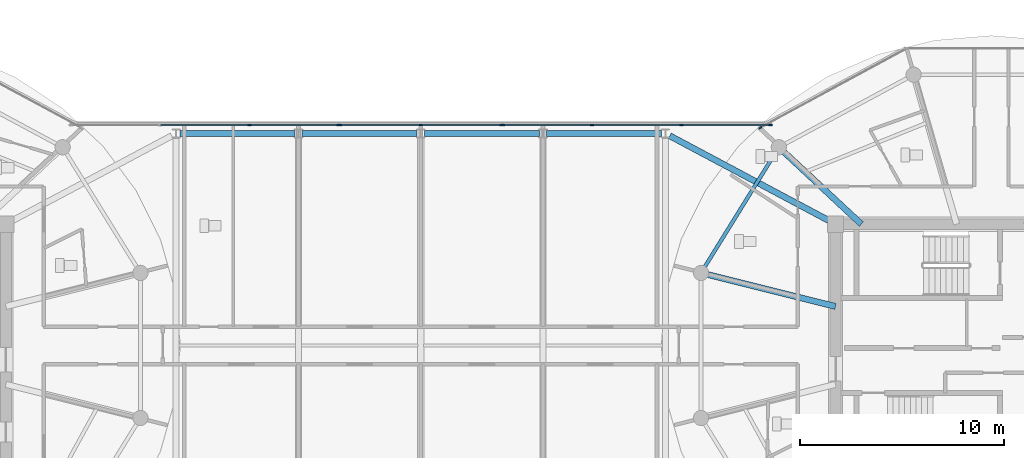
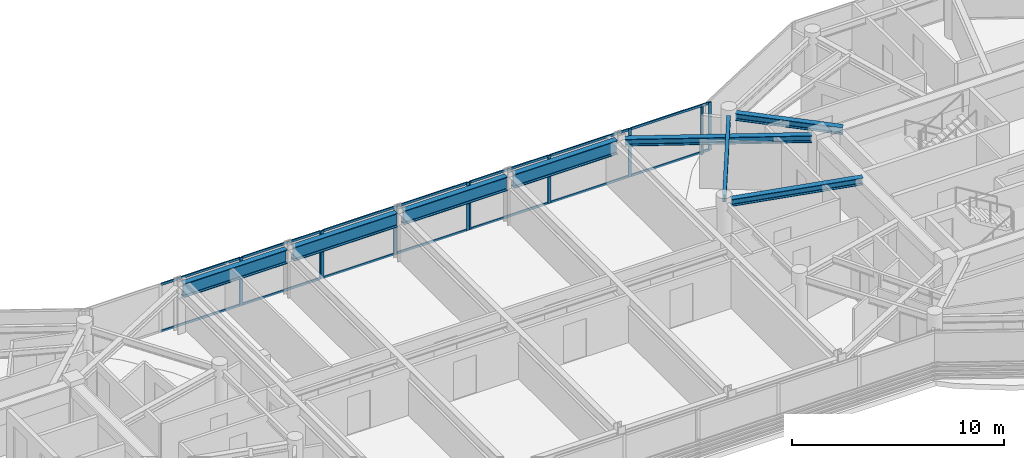
# One storey, part 8 of 26: 24 members, 8 beams, 4 elements without a shape of their own.
"""IFC4 building model written with IfcOpenShell, lengths in metres."""

from ifc_helpers import new_model, si_unit, direction, frame, origin, origin_2d, place, context, subcontext, project, spatial, rectangle, i_section, extrude, source, transform, mapped, material, layer, layer_set, material_profile, profile_set, type_object, type_shapes, element, aggregate, save


model = new_model("IFC4")

# Units and contexts
model_context = context("Model", 3, precision=1e-05, world=origin(), true_north=direction((0.0, 1.0)))
body_context = subcontext(model_context, "Body", "Model", "MODEL_VIEW")
ifc_project = project(units=[si_unit("LENGTHUNIT", "METRE"), si_unit("AREAUNIT", "SQUARE_METRE"), si_unit("VOLUMEUNIT", "CUBIC_METRE"), si_unit("PLANEANGLEUNIT", "RADIAN"), si_unit("MASSUNIT", "GRAM", prefix="KILO")], contexts=[model_context])

# Site, building, storey
site_placement = place(None, origin())
site = spatial("IfcSite", under=ifc_project, at=site_placement, CompositionType="ELEMENT")
building_placement = place(site_placement, origin())
building = spatial("IfcBuilding", under=site, at=building_placement, Name="Norrkilde Senior Care Towers", CompositionType="ELEMENT")
storey_placement = place(building_placement, frame((0.0, 0.0, 210.85009765625)))
storey = spatial("IfcBuildingStorey", under=building, at=storey_placement, Name="L65", CompositionType="ELEMENT", Elevation=210.85009765625)

# Beams
ifc_material_1 = material(Name="Steel S355", Category="steel")
ifc_material_profile_1 = material_profile(ifc_material_1, i_section(OverallWidth=0.179931640625, OverallDepth=0.39990234375, WebThickness=0.008544921875, FlangeThickness=0.013427734375, FilletRadius=0.02099609375, at=origin_2d()), Name="IPE 400")
ifc_profile_set_1 = profile_set([ifc_material_profile_1], Name="Steel S355")
beam_type_1 = type_object("IfcBeamType", Name="Perimeter Ring Spandrel Z4 IPE400", PredefinedType="SPANDREL", material=ifc_profile_set_1)
shared_shape_1 = source(origin(), body_context, "Body", "SweptSolid", [
    extrude(i_section(OverallWidth=0.179931640625, OverallDepth=0.39990234375, WebThickness=0.008544921875, FlangeThickness=0.013427734375, FilletRadius=0.02099609375, at=origin_2d()), origin(), (0.0, 0.0, 1.0), 6.58056640625),
])
type_shapes(beam_type_1, [shared_shape_1])
beam_1_placement = place(storey_placement, frame((17.393798828125, 9.43798828125, 2.559814453125), z_axis=(-0.526529583789, -0.850156807533, 0.0), x_axis=(0.850156807533, -0.526529583789, 0.0)))
element("IfcBeam", 1, at=beam_1_placement, inside=storey, type_object=beam_type_1, Name="L65 Drum E Perimeter Spandrel 05", PredefinedType="SPANDREL", context=body_context, shape_type="MappedRepresentation", body=[
    mapped(shared_shape_1, transform((0.0, 0.0, 0.0), x_axis=(1.0, 0.0, 0.0), y_axis=(0.0, 1.0, 0.0), z_axis=(0.0, 0.0, 1.0), scale=1.0)),
])
ifc_material_profile_2 = material_profile(ifc_material_1, i_section(OverallWidth=0.300048828125, OverallDepth=0.39990234375, WebThickness=0.013427734375, FlangeThickness=0.02392578125, FilletRadius=0.027099609375, at=origin_2d()), Name="HEB 400")
ifc_profile_set_2 = profile_set([ifc_material_profile_2], Name="Steel S355")
beam_type_2 = type_object("IfcBeamType", Name="Radial Floor Beam Z4 HEB400", PredefinedType="BEAM", material=ifc_profile_set_2)
shared_shape_2 = source(origin(), body_context, "Body", "SweptSolid", [
    extrude(i_section(OverallWidth=0.300048828125, OverallDepth=0.39990234375, WebThickness=0.013427734375, FlangeThickness=0.02392578125, FilletRadius=0.027099609375, at=origin_2d()), origin(), (0.0, 0.0, 1.0), 6.465087890625),
])
beam_2_placement = place(storey_placement, frame((20.35009765625, 1.910888671875, 2.559814453125), z_axis=(-0.970195788563, 0.242322371758, 0.0), x_axis=(-0.242322371758, -0.970195788563, 0.0)))
element("IfcBeam", 2, at=beam_2_placement, inside=storey, type_object=beam_type_2, Name="L65 Drum E Radial Floor Beam 06", PredefinedType="BEAM", context=body_context, shape_type="MappedRepresentation", body=[
    mapped(shared_shape_2, transform((0.0, 0.0, 0.0), x_axis=(1.0, 0.0, 0.0), y_axis=(0.0, 1.0, 0.0), z_axis=(0.0, 0.0, 1.0), scale=1.0)),
])
shared_shape_3 = source(origin(), body_context, "Body", "SweptSolid", [
    extrude(i_section(OverallWidth=0.300048828125, OverallDepth=0.39990234375, WebThickness=0.013427734375, FlangeThickness=0.02392578125, FilletRadius=0.027099609375, at=origin_2d()), origin(), (0.0, 0.0, 1.0), 5.197998046875),
])
beam_3_placement = place(storey_placement, frame((21.6171875, 5.949951171875, 2.559814453125), z_axis=(-0.731448749334, 0.681896419625, 0.0), x_axis=(-0.681896419625, -0.731448749334, 0.0)))
element("IfcBeam", 3, at=beam_3_placement, inside=storey, type_object=beam_type_2, Name="L65 Drum E Radial Floor Beam 05", PredefinedType="BEAM", context=body_context, shape_type="MappedRepresentation", body=[
    mapped(shared_shape_3, transform((0.0, 0.0, 0.0), x_axis=(1.0, 0.0, 0.0), y_axis=(0.0, 1.0, 0.0), z_axis=(0.0, 0.0, 1.0), scale=1.0)),
])
shared_shape_4 = source(origin(), body_context, "Body", "SweptSolid", [
    extrude(i_section(OverallWidth=0.300048828125, OverallDepth=0.39990234375, WebThickness=0.013427734375, FlangeThickness=0.02392578125, FilletRadius=0.027099609375, at=origin_2d()), origin(), (0.0, 0.0, 1.0), 8.831787109375),
])
type_shapes(beam_type_2, [shared_shape_2, shared_shape_3, shared_shape_4])
beam_4_placement = place(storey_placement, frame((12.220703125, 10.282470703125, 2.559814453125), z_axis=(0.882492172381, -0.470327083727, 0.0), x_axis=(0.470327083727, 0.882492172381, 0.0)))
element("IfcBeam", 4, at=beam_4_placement, inside=storey, type_object=beam_type_2, Name="L65 Sky-Gate Bridge Girder N6", PredefinedType="BEAM", context=body_context, shape_type="MappedRepresentation", body=[
    mapped(shared_shape_4, transform((0.0, 0.0, 0.0), x_axis=(1.0, 0.0, 0.0), y_axis=(0.0, 1.0, 0.0), z_axis=(0.0, 0.0, 1.0), scale=1.0)),
])
ifc_material_profile_3 = material_profile(ifc_material_1, i_section(OverallWidth=0.300048828125, OverallDepth=0.800048828125, WebThickness=0.017578125, FlangeThickness=0.032958984375, FilletRadius=0.030029296875, at=origin_2d()), Name="HEB 800")
ifc_profile_set_3 = profile_set([ifc_material_profile_3], Name="Steel S355")
beam_type_3 = type_object("IfcBeamType", Name="Bridge Floor Girder HEB800", PredefinedType="USERDEFINED", material=ifc_profile_set_3)
shared_shape_5 = source(origin(), body_context, "Body", "SweptSolid", [
    extrude(i_section(OverallWidth=0.300048828125, OverallDepth=0.800048828125, WebThickness=0.017578125, FlangeThickness=0.032958984375, FilletRadius=0.030029296875, at=origin_2d()), origin(), (0.0, 0.0, 1.0), 5.64013671875),
])
type_shapes(beam_type_3, [shared_shape_5])
for number, where, z_axis, x_axis, name in (
    (5, (-11.820068359375, 10.39990234375, 2.35986328125), (1.0, 0.0, 0.0), (0.0, 1.0, 0.0), "L65 Sky-Gate Bridge Girder N2"),
    (6, (-5.820068359375, 10.39990234375, 2.35986328125), (1.0, 0.0, 0.0), (0.0, 1.0, 0.0), "L65 Sky-Gate Bridge Girder N3"),
    (7, (0.179931640625, 10.39990234375, 2.35986328125), (1.0, 0.0, 0.0), (0.0, 1.0, 0.0), "L65 Sky-Gate Bridge Girder N4"),
    (8, (6.179931640625, 10.39990234375, 2.35986328125), (1.0, 0.0, 0.0), (0.0, 1.0, 0.0), "L65 Sky-Gate Bridge Girder N5"),
):
    element("IfcBeam", number, at=place(storey_placement, frame(where, z_axis=z_axis, x_axis=x_axis)), inside=storey, type_object=beam_type_3, Name=name, ObjectType="GIRDER", PredefinedType="USERDEFINED", context=body_context, shape_type="MappedRepresentation", body=[
        mapped(shared_shape_5, transform((0.0, 0.0, 0.0), x_axis=(1.0, 0.0, 0.0), y_axis=(0.0, 1.0, 0.0), z_axis=(0.0, 0.0, 1.0), scale=1.0)),
    ])

# Curtain wall, member
ifc_material_2 = material(Name="Triple Low-E Insulated Glazing", Category="glass")
ifc_layer_1 = layer(ifc_material_2, 0.18505859375)
ifc_layer_set_1 = layer_set([ifc_layer_1], Name="Triple Low-E Insulated Glazing")
curtain_wall_type_1 = type_object("IfcCurtainWallType", Name="CW6 Zone 4 Crown Pavilion Curtain Wall", PredefinedType="NOTDEFINED", material=ifc_layer_set_1)
curtain_wall_1_placement = place(storey_placement, origin())
curtain_wall_1 = element("IfcCurtainWall", 9, at=curtain_wall_1_placement, inside=storey, type_object=curtain_wall_type_1, Name="L65 Drum E Curtain Wall 03", PredefinedType="NOTDEFINED")
ifc_material_3 = material(Name="Anodised Aluminium", Category="aluminium")
ifc_material_profile_4 = material_profile(ifc_material_3, rectangle(XDim=0.06494140625, YDim=0.14990234375, at=origin_2d()), Name="ALU MULL 65x150")
ifc_profile_set_4 = profile_set([ifc_material_profile_4], Name="Anodised Aluminium")
member_type_1 = type_object("IfcMemberType", Name="Curtain Wall Mullion Z3-Z4 65x150", PredefinedType="MULLION", material=ifc_profile_set_4)
shared_shape_6 = source(origin(), body_context, "Body", "SweptSolid", [
    extrude(rectangle(XDim=0.06494140625, YDim=0.14990234375, at=origin_2d()), origin(), (0.0, 0.0, 1.0), 2.760009765625),
])
type_shapes(member_type_1, [shared_shape_6])
member_1_placement = place(storey_placement, frame((16.658203125, 10.6787109375, 0.0), z_axis=(0.0, 0.0, 1.0), x_axis=(-0.476132676136, 0.879373455772, 0.0)))
member_1 = element("IfcMember", 10, at=member_1_placement, type_object=member_type_1, Name="CW-6 mullion 1", PredefinedType="MULLION", context=body_context, shape_type="MappedRepresentation", body=[
    mapped(shared_shape_6, transform((0.0, 0.0, 0.0), x_axis=(1.0, 0.0, 0.0), y_axis=(0.0, 1.0, 0.0), z_axis=(0.0, 0.0, 1.0), scale=1.0)),
])
aggregate(curtain_wall_1, [member_1])

# Curtain wall, members
ifc_layer_2 = layer(ifc_material_2, 0.2099609375)
ifc_layer_set_2 = layer_set([ifc_layer_2], Name="Triple Low-E Insulated Glazing")
curtain_wall_type_2 = type_object("IfcCurtainWallType", Name="CW5 Sky-Gate Bridge Curtain Wall", PredefinedType="NOTDEFINED", material=ifc_layer_set_2)
curtain_wall_2_placement = place(storey_placement, origin())
curtain_wall_2 = element("IfcCurtainWall", 11, at=curtain_wall_2_placement, inside=storey, type_object=curtain_wall_type_2, Name="L65 Sky-Gate Bridge North Curtain Wall 1", PredefinedType="NOTDEFINED")
ifc_material_profile_5 = material_profile(ifc_material_3, rectangle(XDim=0.06494140625, YDim=0.1298828125, at=origin_2d()), Name="ALU TRAN 65x130")
ifc_profile_set_5 = profile_set([ifc_material_profile_5], Name="Anodised Aluminium")
member_type_2 = type_object("IfcMemberType", Name="Curtain Wall Transom Heavy 65x130", PredefinedType="USERDEFINED", material=ifc_profile_set_5)
shared_shape_7 = source(origin(), body_context, "Body", "SweptSolid", [
    extrude(rectangle(XDim=0.06494140625, YDim=0.1298828125, at=origin_2d()), origin(), (0.0, 0.0, 1.0), 4.294921875),
])
member_2_placement = place(storey_placement, frame((-8.364990234375, 10.820068359375, 0.032470703125), z_axis=(1.0, 0.0, 0.0), x_axis=(0.0, 1.0, 0.0)))
member_2 = element("IfcMember", 12, at=member_2_placement, type_object=member_type_2, Name="CW-5 transom 3.1", ObjectType="TRANSOM", PredefinedType="USERDEFINED", context=body_context, shape_type="MappedRepresentation", body=[
    mapped(shared_shape_7, transform((0.0, 0.0, 0.0), x_axis=(1.0, 0.0, 0.0), y_axis=(0.0, 1.0, 0.0), z_axis=(0.0, 0.0, 1.0), scale=1.0)),
])
member_3_placement = place(storey_placement, frame((-8.364990234375, 10.820068359375, 2.727294921875), z_axis=(1.0, 0.0, 0.0), x_axis=(0.0, 1.0, 0.0)))
member_3 = element("IfcMember", 13, at=member_3_placement, type_object=member_type_2, Name="CW-5 transom 3.2", ObjectType="TRANSOM", PredefinedType="USERDEFINED", context=body_context, shape_type="MappedRepresentation", body=[
    mapped(shared_shape_7, transform((0.0, 0.0, 0.0), x_axis=(1.0, 0.0, 0.0), y_axis=(0.0, 1.0, 0.0), z_axis=(0.0, 0.0, 1.0), scale=1.0)),
])

curtain_wall_3_placement = place(storey_placement, origin())
curtain_wall_3 = element("IfcCurtainWall", 14, at=curtain_wall_3_placement, inside=storey, type_object=curtain_wall_type_2, Name="L65 Sky-Gate Bridge North Curtain Wall 3", PredefinedType="NOTDEFINED")
member_4_placement = place(storey_placement, frame((4.070068359375, 10.820068359375, 0.032470703125), z_axis=(1.0, 0.0, 0.0), x_axis=(0.0, 1.0, 0.0)))
member_4 = element("IfcMember", 15, at=member_4_placement, type_object=member_type_2, Name="CW-5 transom 1.1", ObjectType="TRANSOM", PredefinedType="USERDEFINED", context=body_context, shape_type="MappedRepresentation", body=[
    mapped(shared_shape_7, transform((0.0, 0.0, 0.0), x_axis=(1.0, 0.0, 0.0), y_axis=(0.0, 1.0, 0.0), z_axis=(0.0, 0.0, 1.0), scale=1.0)),
])
member_5_placement = place(storey_placement, frame((4.070068359375, 10.820068359375, 2.727294921875), z_axis=(1.0, 0.0, 0.0), x_axis=(0.0, 1.0, 0.0)))
member_5 = element("IfcMember", 16, at=member_5_placement, type_object=member_type_2, Name="CW-5 transom 1.2", ObjectType="TRANSOM", PredefinedType="USERDEFINED", context=body_context, shape_type="MappedRepresentation", body=[
    mapped(shared_shape_7, transform((0.0, 0.0, 0.0), x_axis=(1.0, 0.0, 0.0), y_axis=(0.0, 1.0, 0.0), z_axis=(0.0, 0.0, 1.0), scale=1.0)),
])
member_6_placement = place(storey_placement, frame((12.8349609375, 10.820068359375, 0.032470703125), z_axis=(1.0, 0.0, 0.0), x_axis=(0.0, 1.0, 0.0)))
member_6 = element("IfcMember", 17, at=member_6_placement, type_object=member_type_2, Name="CW-5 transom 3.1", ObjectType="TRANSOM", PredefinedType="USERDEFINED", context=body_context, shape_type="MappedRepresentation", body=[
    mapped(shared_shape_7, transform((0.0, 0.0, 0.0), x_axis=(1.0, 0.0, 0.0), y_axis=(0.0, 1.0, 0.0), z_axis=(0.0, 0.0, 1.0), scale=1.0)),
])
member_7_placement = place(storey_placement, frame((12.8349609375, 10.820068359375, 2.727294921875), z_axis=(1.0, 0.0, 0.0), x_axis=(0.0, 1.0, 0.0)))
member_7 = element("IfcMember", 18, at=member_7_placement, type_object=member_type_2, Name="CW-5 transom 3.2", ObjectType="TRANSOM", PredefinedType="USERDEFINED", context=body_context, shape_type="MappedRepresentation", body=[
    mapped(shared_shape_7, transform((0.0, 0.0, 0.0), x_axis=(1.0, 0.0, 0.0), y_axis=(0.0, 1.0, 0.0), z_axis=(0.0, 0.0, 1.0), scale=1.0)),
])

# Member
shared_shape_8 = source(origin(), body_context, "Body", "SweptSolid", [
    extrude(rectangle(XDim=0.06494140625, YDim=0.1298828125, at=origin_2d()), origin(), (0.0, 0.0, 1.0), 4.329833984375),
])
member_8_placement = place(storey_placement, frame((-12.764892578125, 10.820068359375, 0.032470703125), z_axis=(1.0, 0.0, 0.0), x_axis=(0.0, 1.0, 0.0)))
member_8 = element("IfcMember", 19, at=member_8_placement, type_object=member_type_2, Name="CW-5 transom 2.1", ObjectType="TRANSOM", PredefinedType="USERDEFINED", context=body_context, shape_type="MappedRepresentation", body=[
    mapped(shared_shape_8, transform((0.0, 0.0, 0.0), x_axis=(1.0, 0.0, 0.0), y_axis=(0.0, 1.0, 0.0), z_axis=(0.0, 0.0, 1.0), scale=1.0)),
])

member_9_placement = place(storey_placement, frame((-12.764892578125, 10.820068359375, 2.727294921875), z_axis=(1.0, 0.0, 0.0), x_axis=(0.0, 1.0, 0.0)))
member_9 = element("IfcMember", 20, at=member_9_placement, type_object=member_type_2, Name="CW-5 transom 2.2", ObjectType="TRANSOM", PredefinedType="USERDEFINED", context=body_context, shape_type="MappedRepresentation", body=[
    mapped(shared_shape_8, transform((0.0, 0.0, 0.0), x_axis=(1.0, 0.0, 0.0), y_axis=(0.0, 1.0, 0.0), z_axis=(0.0, 0.0, 1.0), scale=1.0)),
])

member_10_placement = place(storey_placement, frame((8.43505859375, 10.820068359375, 0.032470703125), z_axis=(1.0, 0.0, 0.0), x_axis=(0.0, 1.0, 0.0)))
member_10 = element("IfcMember", 21, at=member_10_placement, type_object=member_type_2, Name="CW-5 transom 2.1", ObjectType="TRANSOM", PredefinedType="USERDEFINED", context=body_context, shape_type="MappedRepresentation", body=[
    mapped(shared_shape_8, transform((0.0, 0.0, 0.0), x_axis=(1.0, 0.0, 0.0), y_axis=(0.0, 1.0, 0.0), z_axis=(0.0, 0.0, 1.0), scale=1.0)),
])

member_11_placement = place(storey_placement, frame((8.43505859375, 10.820068359375, 2.727294921875), z_axis=(1.0, 0.0, 0.0), x_axis=(0.0, 1.0, 0.0)))
member_11 = element("IfcMember", 22, at=member_11_placement, type_object=member_type_2, Name="CW-5 transom 2.2", ObjectType="TRANSOM", PredefinedType="USERDEFINED", context=body_context, shape_type="MappedRepresentation", body=[
    mapped(shared_shape_8, transform((0.0, 0.0, 0.0), x_axis=(1.0, 0.0, 0.0), y_axis=(0.0, 1.0, 0.0), z_axis=(0.0, 0.0, 1.0), scale=1.0)),
])

# Curtain wall, members
curtain_wall_4_placement = place(storey_placement, origin())
curtain_wall_4 = element("IfcCurtainWall", 23, at=curtain_wall_4_placement, inside=storey, type_object=curtain_wall_type_2, Name="L65 Sky-Gate Bridge North Curtain Wall 2", PredefinedType="NOTDEFINED")
shared_shape_9 = source(origin(), body_context, "Body", "SweptSolid", [
    extrude(rectangle(XDim=0.06494140625, YDim=0.1298828125, at=origin_2d()), origin(), (0.0, 0.0, 1.0), 3.89501953125),
])
type_shapes(member_type_2, [shared_shape_7, shared_shape_8, shared_shape_9])
member_12_placement = place(storey_placement, frame((-3.929931640625, 10.820068359375, 0.032470703125), z_axis=(1.0, 0.0, 0.0), x_axis=(0.0, 1.0, 0.0)))
member_12 = element("IfcMember", 24, at=member_12_placement, type_object=member_type_2, Name="CW-5 transom 1.1", ObjectType="TRANSOM", PredefinedType="USERDEFINED", context=body_context, shape_type="MappedRepresentation", body=[
    mapped(shared_shape_9, transform((0.0, 0.0, 0.0), x_axis=(1.0, 0.0, 0.0), y_axis=(0.0, 1.0, 0.0), z_axis=(0.0, 0.0, 1.0), scale=1.0)),
])
member_13_placement = place(storey_placement, frame((-3.929931640625, 10.820068359375, 2.727294921875), z_axis=(1.0, 0.0, 0.0), x_axis=(0.0, 1.0, 0.0)))
member_13 = element("IfcMember", 25, at=member_13_placement, type_object=member_type_2, Name="CW-5 transom 1.2", ObjectType="TRANSOM", PredefinedType="USERDEFINED", context=body_context, shape_type="MappedRepresentation", body=[
    mapped(shared_shape_9, transform((0.0, 0.0, 0.0), x_axis=(1.0, 0.0, 0.0), y_axis=(0.0, 1.0, 0.0), z_axis=(0.0, 0.0, 1.0), scale=1.0)),
])
member_14_placement = place(storey_placement, frame((0.034912109375, 10.820068359375, 0.032470703125), z_axis=(1.0, 0.0, 0.0), x_axis=(0.0, 1.0, 0.0)))
member_14 = element("IfcMember", 26, at=member_14_placement, type_object=member_type_2, Name="CW-5 transom 2.1", ObjectType="TRANSOM", PredefinedType="USERDEFINED", context=body_context, shape_type="MappedRepresentation", body=[
    mapped(shared_shape_9, transform((0.0, 0.0, 0.0), x_axis=(1.0, 0.0, 0.0), y_axis=(0.0, 1.0, 0.0), z_axis=(0.0, 0.0, 1.0), scale=1.0)),
])
member_15_placement = place(storey_placement, frame((0.034912109375, 10.820068359375, 2.727294921875), z_axis=(1.0, 0.0, 0.0), x_axis=(0.0, 1.0, 0.0)))
member_15 = element("IfcMember", 27, at=member_15_placement, type_object=member_type_2, Name="CW-5 transom 2.2", ObjectType="TRANSOM", PredefinedType="USERDEFINED", context=body_context, shape_type="MappedRepresentation", body=[
    mapped(shared_shape_9, transform((0.0, 0.0, 0.0), x_axis=(1.0, 0.0, 0.0), y_axis=(0.0, 1.0, 0.0), z_axis=(0.0, 0.0, 1.0), scale=1.0)),
])

# Member
ifc_material_profile_6 = material_profile(ifc_material_3, rectangle(XDim=0.070068359375, YDim=0.169921875, at=origin_2d()), Name="ALU MULL 70x170")
ifc_profile_set_6 = profile_set([ifc_material_profile_6], Name="Anodised Aluminium")
member_type_3 = type_object("IfcMemberType", Name="Curtain Wall Mullion Heavy 70x170", PredefinedType="MULLION", material=ifc_profile_set_6)
shared_shape_10 = source(origin(), body_context, "Body", "SweptSolid", [
    extrude(rectangle(XDim=0.070068359375, YDim=0.169921875, at=origin_2d()), origin(), (0.0, 0.0, 1.0), 2.760009765625),
])
type_shapes(member_type_3, [shared_shape_10])
member_16_placement = place(storey_placement, frame((-8.39990234375, 10.820068359375, 0.0), z_axis=(0.0, 0.0, 1.0), x_axis=(0.0, 1.0, 0.0)))
member_16 = element("IfcMember", 28, at=member_16_placement, type_object=member_type_3, Name="CW-5 mullion 3", PredefinedType="MULLION", context=body_context, shape_type="MappedRepresentation", body=[
    mapped(shared_shape_10, transform((0.0, 0.0, 0.0), x_axis=(1.0, 0.0, 0.0), y_axis=(0.0, 1.0, 0.0), z_axis=(0.0, 0.0, 1.0), scale=1.0)),
])

member_17_placement = place(storey_placement, frame((-4.034912109375, 10.820068359375, 0.0), z_axis=(0.0, 0.0, 1.0), x_axis=(0.0, 1.0, 0.0)))
member_17 = element("IfcMember", 29, at=member_17_placement, type_object=member_type_3, Name="CW-5 mullion 4", PredefinedType="MULLION", context=body_context, shape_type="MappedRepresentation", body=[
    mapped(shared_shape_10, transform((0.0, 0.0, 0.0), x_axis=(1.0, 0.0, 0.0), y_axis=(0.0, 1.0, 0.0), z_axis=(0.0, 0.0, 1.0), scale=1.0)),
])

aggregate(curtain_wall_2, [member_16, member_17, member_8, member_9, member_2, member_3])

member_18_placement = place(storey_placement, frame((-3.965087890625, 10.820068359375, 0.0), z_axis=(0.0, 0.0, 1.0), x_axis=(0.0, 1.0, 0.0)))
member_18 = element("IfcMember", 30, at=member_18_placement, type_object=member_type_3, Name="CW-5 mullion 1", PredefinedType="MULLION", context=body_context, shape_type="MappedRepresentation", body=[
    mapped(shared_shape_10, transform((0.0, 0.0, 0.0), x_axis=(1.0, 0.0, 0.0), y_axis=(0.0, 1.0, 0.0), z_axis=(0.0, 0.0, 1.0), scale=1.0)),
])

member_19_placement = place(storey_placement, frame((0.0, 10.820068359375, 0.0), z_axis=(0.0, 0.0, 1.0), x_axis=(0.0, 1.0, 0.0)))
member_19 = element("IfcMember", 31, at=member_19_placement, type_object=member_type_3, Name="CW-5 mullion 2", PredefinedType="MULLION", context=body_context, shape_type="MappedRepresentation", body=[
    mapped(shared_shape_10, transform((0.0, 0.0, 0.0), x_axis=(1.0, 0.0, 0.0), y_axis=(0.0, 1.0, 0.0), z_axis=(0.0, 0.0, 1.0), scale=1.0)),
])

member_20_placement = place(storey_placement, frame((3.965087890625, 10.820068359375, 0.0), z_axis=(0.0, 0.0, 1.0), x_axis=(0.0, 1.0, 0.0)))
member_20 = element("IfcMember", 32, at=member_20_placement, type_object=member_type_3, Name="CW-5 mullion 3", PredefinedType="MULLION", context=body_context, shape_type="MappedRepresentation", body=[
    mapped(shared_shape_10, transform((0.0, 0.0, 0.0), x_axis=(1.0, 0.0, 0.0), y_axis=(0.0, 1.0, 0.0), z_axis=(0.0, 0.0, 1.0), scale=1.0)),
])

aggregate(curtain_wall_4, [member_18, member_19, member_20, member_12, member_13, member_14, member_15])

member_21_placement = place(storey_placement, frame((4.034912109375, 10.820068359375, 0.0), z_axis=(0.0, 0.0, 1.0), x_axis=(0.0, 1.0, 0.0)))
member_21 = element("IfcMember", 33, at=member_21_placement, type_object=member_type_3, Name="CW-5 mullion 1", PredefinedType="MULLION", context=body_context, shape_type="MappedRepresentation", body=[
    mapped(shared_shape_10, transform((0.0, 0.0, 0.0), x_axis=(1.0, 0.0, 0.0), y_axis=(0.0, 1.0, 0.0), z_axis=(0.0, 0.0, 1.0), scale=1.0)),
])

member_22_placement = place(storey_placement, frame((8.39990234375, 10.820068359375, 0.0), z_axis=(0.0, 0.0, 1.0), x_axis=(0.0, 1.0, 0.0)))
member_22 = element("IfcMember", 34, at=member_22_placement, type_object=member_type_3, Name="CW-5 mullion 2", PredefinedType="MULLION", context=body_context, shape_type="MappedRepresentation", body=[
    mapped(shared_shape_10, transform((0.0, 0.0, 0.0), x_axis=(1.0, 0.0, 0.0), y_axis=(0.0, 1.0, 0.0), z_axis=(0.0, 0.0, 1.0), scale=1.0)),
])

member_23_placement = place(storey_placement, frame((12.800048828125, 10.820068359375, 0.0), z_axis=(0.0, 0.0, 1.0), x_axis=(0.0, 1.0, 0.0)))
member_23 = element("IfcMember", 35, at=member_23_placement, type_object=member_type_3, Name="CW-5 mullion 3", PredefinedType="MULLION", context=body_context, shape_type="MappedRepresentation", body=[
    mapped(shared_shape_10, transform((0.0, 0.0, 0.0), x_axis=(1.0, 0.0, 0.0), y_axis=(0.0, 1.0, 0.0), z_axis=(0.0, 0.0, 1.0), scale=1.0)),
])

member_24_placement = place(storey_placement, frame((17.1650390625, 10.820068359375, 0.0), z_axis=(0.0, 0.0, 1.0), x_axis=(0.0, 1.0, 0.0)))
member_24 = element("IfcMember", 36, at=member_24_placement, type_object=member_type_3, Name="CW-5 mullion 4", PredefinedType="MULLION", context=body_context, shape_type="MappedRepresentation", body=[
    mapped(shared_shape_10, transform((0.0, 0.0, 0.0), x_axis=(1.0, 0.0, 0.0), y_axis=(0.0, 1.0, 0.0), z_axis=(0.0, 0.0, 1.0), scale=1.0)),
])

aggregate(curtain_wall_3, [member_21, member_22, member_23, member_24, member_4, member_5, member_10, member_11, member_6, member_7])

save(model, "model.ifc")
